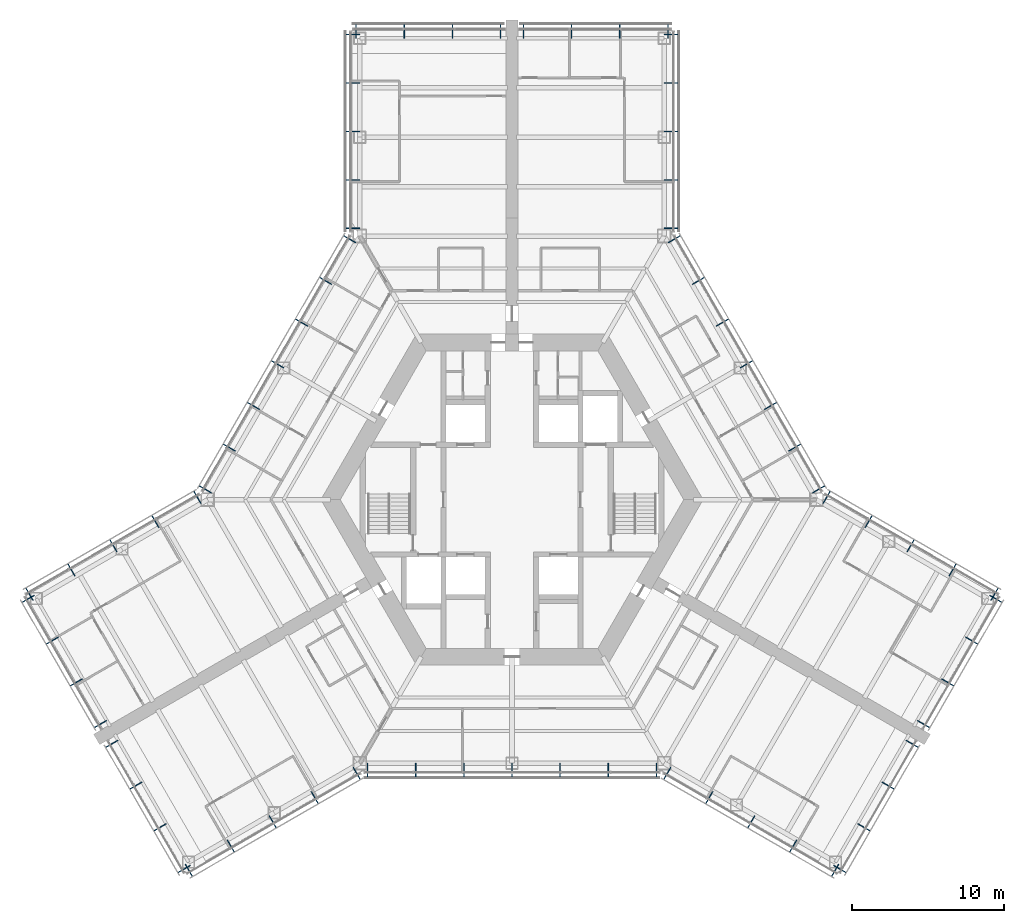
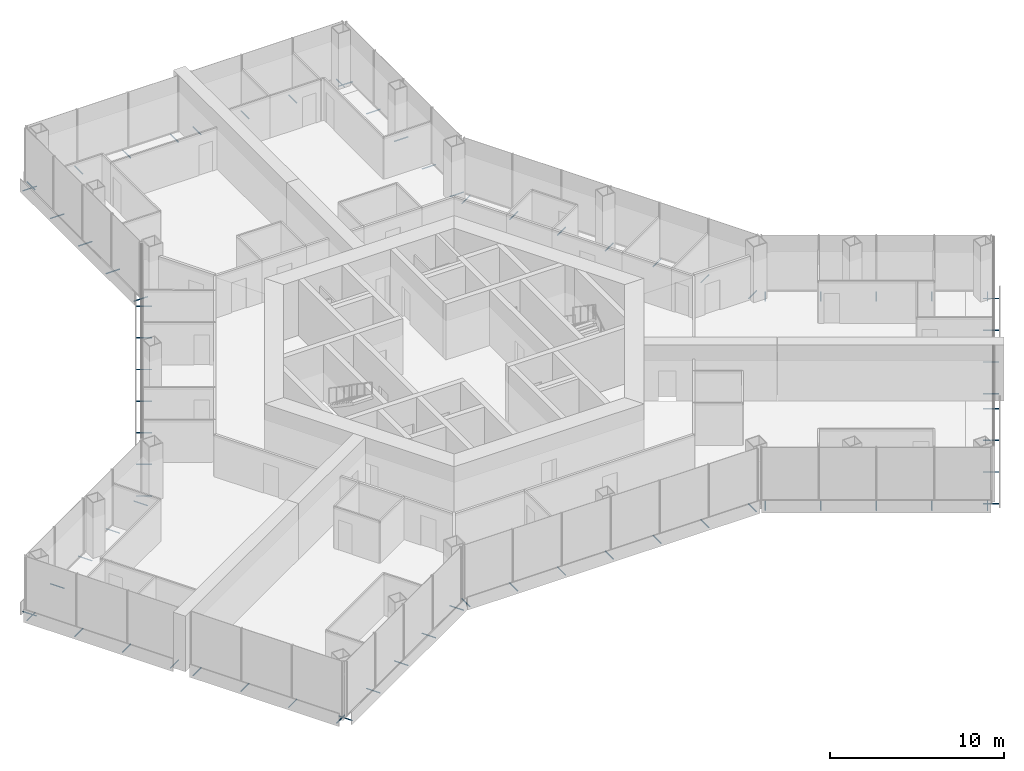
# One storey, part 17 of 19: 75 discrete accessories.
"""IFC4 building model written with IfcOpenShell, lengths in metres."""

from ifc_helpers import new_model, si_unit, direction, frame, origin, origin_2d, place, context, subcontext, project, spatial, hollow_circle, extrude, material, material_profile, profile_set, type_object, element, save


model = new_model("IFC4")

# Units and contexts
model_context = context("Model", 3, precision=1e-05, world=origin(), true_north=direction((0.0, 1.0)))
body_context = subcontext(model_context, "Body", "Model", "MODEL_VIEW")
ifc_project = project(units=[si_unit("LENGTHUNIT", "METRE"), si_unit("AREAUNIT", "SQUARE_METRE"), si_unit("VOLUMEUNIT", "CUBIC_METRE"), si_unit("PLANEANGLEUNIT", "RADIAN"), si_unit("MASSUNIT", "GRAM", prefix="KILO")], contexts=[model_context])

# Site, building, storey
site_placement = place(None, origin())
site = spatial("IfcSite", under=ifc_project, at=site_placement, CompositionType="ELEMENT")
building_placement = place(site_placement, origin())
building = spatial("IfcBuilding", under=site, at=building_placement, Name="Kasaneha Research Tower", CompositionType="ELEMENT")
storey_placement = place(building_placement, frame((0.0, 0.0, 104.10009765625)))
storey = spatial("IfcBuildingStorey", under=building, at=storey_placement, Name="L26", CompositionType="ELEMENT", Elevation=104.10009765625)

# Discrete accessories
ifc_material = material(Name="Steel STK400", Category="steel")
ifc_material_profile = material_profile(ifc_material, hollow_circle(Radius=0.0380859375, WallThickness=0.00390625, at=origin_2d()), Name="CHS-76.3x4.0")
ifc_profile_set = profile_set([ifc_material_profile], Name="Steel STK400")
discrete_accessory_type = type_object("IfcDiscreteAccessoryType", Name="Screen bracket CHS-76.3x4.0", PredefinedType="BRACKET", material=ifc_profile_set)
discrete_accessory_1_placement = place(storey_placement, frame((-21.474853515625, -23.945556640625, -0.300048828125), z_axis=(0.500021113727, -0.866013213425, 0.0), x_axis=(0.866013213425, 0.500021113727, 0.0)))
element("IfcDiscreteAccessory", 1, at=discrete_accessory_1_placement, inside=storey, type_object=discrete_accessory_type, Name="Screen bracket 1", PredefinedType="BRACKET", context=body_context, shape_type="SweptSolid", body=[
    extrude(hollow_circle(Radius=0.0380859375, WallThickness=0.00390625, at=origin_2d()), origin(), (0.0, 0.0, 1.0), 0.919921875),
])
discrete_accessory_2_placement = place(storey_placement, frame((-18.716796875, -22.35302734375, -0.300048828125), z_axis=(0.500105201737, -0.865964657013, 0.0), x_axis=(0.865964657013, 0.500105201737, 0.0)))
element("IfcDiscreteAccessory", 2, at=discrete_accessory_2_placement, inside=storey, type_object=discrete_accessory_type, Name="Screen bracket 2", PredefinedType="BRACKET", context=body_context, shape_type="SweptSolid", body=[
    extrude(hollow_circle(Radius=0.0380859375, WallThickness=0.00390625, at=origin_2d()), origin(), (0.0, 0.0, 1.0), 0.920166015625),
])
discrete_accessory_3_placement = place(storey_placement, frame((-15.95849609375, -20.7607421875, -0.300048828125), z_axis=(0.500021113727, -0.866013213425, 0.0), x_axis=(0.866013213425, 0.500021113727, 0.0)))
element("IfcDiscreteAccessory", 3, at=discrete_accessory_3_placement, inside=storey, type_object=discrete_accessory_type, Name="Screen bracket 3", PredefinedType="BRACKET", context=body_context, shape_type="SweptSolid", body=[
    extrude(hollow_circle(Radius=0.0380859375, WallThickness=0.00390625, at=origin_2d()), origin(), (0.0, 0.0, 1.0), 0.919921875),
])
discrete_accessory_4_placement = place(storey_placement, frame((-13.200439453125, -19.168212890625, -0.300048828125), z_axis=(0.499906209203, -0.866079547155, 0.0), x_axis=(0.866079547155, 0.499906209203, 0.0)))
element("IfcDiscreteAccessory", 4, at=discrete_accessory_4_placement, inside=storey, type_object=discrete_accessory_type, Name="Screen bracket 4", PredefinedType="BRACKET", context=body_context, shape_type="SweptSolid", body=[
    extrude(hollow_circle(Radius=0.0380859375, WallThickness=0.00390625, at=origin_2d()), origin(), (0.0, 0.0, 1.0), 0.920166015625),
])
for number, where, z_axis, x_axis, name in (
    (5, (-10.4423828125, -17.575927734375, -0.300048828125), (0.500021113727, -0.866013213425, 0.0), (0.866013213425, 0.500021113727, 0.0), "Screen bracket 5"),
    (6, (-9.4892578125, -17.320556640625, -0.300048828125), (0.0, -1.0, 0.0), (1.0, 0.0, 0.0), "Screen bracket 1"),
    (7, (-6.326171875, -17.320556640625, -0.300048828125), (0.0, -1.0, 0.0), (1.0, 0.0, 0.0), "Screen bracket 2"),
    (8, (-3.1630859375, -17.320556640625, -0.300048828125), (0.0, -1.0, 0.0), (1.0, 0.0, 0.0), "Screen bracket 3"),
    (9, (0.0, -17.320556640625, -0.300048828125), (0.0, -1.0, 0.0), (1.0, 0.0, 0.0), "Screen bracket 4"),
    (10, (3.1630859375, -17.320556640625, -0.300048828125), (0.0, -1.0, 0.0), (1.0, 0.0, 0.0), "Screen bracket 5"),
    (11, (6.326171875, -17.320556640625, -0.300048828125), (0.0, -1.0, 0.0), (1.0, 0.0, 0.0), "Screen bracket 6"),
    (12, (9.4892578125, -17.320556640625, -0.300048828125), (0.0, -1.0, 0.0), (1.0, 0.0, 0.0), "Screen bracket 7"),
    (13, (10.4423828125, -17.575927734375, -0.300048828125), (-0.500021113727, -0.866013213425, 0.0), (0.866013213425, -0.500021113727, 0.0), "Screen bracket 1"),
):
    element("IfcDiscreteAccessory", number, at=place(storey_placement, frame(where, z_axis=z_axis, x_axis=x_axis)), inside=storey, type_object=discrete_accessory_type, Name=name, PredefinedType="BRACKET", context=body_context, shape_type="SweptSolid", body=[
        extrude(hollow_circle(Radius=0.0380859375, WallThickness=0.00390625, at=origin_2d()), origin(), (0.0, 0.0, 1.0), 0.919921875),
    ])
discrete_accessory_5_placement = place(storey_placement, frame((13.200439453125, -19.168212890625, -0.300048828125), z_axis=(-0.499906209203, -0.866079547155, 0.0), x_axis=(0.866079547155, -0.499906209203, 0.0)))
element("IfcDiscreteAccessory", 14, at=discrete_accessory_5_placement, inside=storey, type_object=discrete_accessory_type, Name="Screen bracket 2", PredefinedType="BRACKET", context=body_context, shape_type="SweptSolid", body=[
    extrude(hollow_circle(Radius=0.0380859375, WallThickness=0.00390625, at=origin_2d()), origin(), (0.0, 0.0, 1.0), 0.920166015625),
])
discrete_accessory_6_placement = place(storey_placement, frame((15.95849609375, -20.7607421875, -0.300048828125), z_axis=(-0.500021113727, -0.866013213425, 0.0), x_axis=(0.866013213425, -0.500021113727, 0.0)))
element("IfcDiscreteAccessory", 15, at=discrete_accessory_6_placement, inside=storey, type_object=discrete_accessory_type, Name="Screen bracket 3", PredefinedType="BRACKET", context=body_context, shape_type="SweptSolid", body=[
    extrude(hollow_circle(Radius=0.0380859375, WallThickness=0.00390625, at=origin_2d()), origin(), (0.0, 0.0, 1.0), 0.919921875),
])
discrete_accessory_7_placement = place(storey_placement, frame((18.716796875, -22.35302734375, -0.300048828125), z_axis=(-0.500105201737, -0.865964657013, 0.0), x_axis=(0.865964657013, -0.500105201737, 0.0)))
element("IfcDiscreteAccessory", 16, at=discrete_accessory_7_placement, inside=storey, type_object=discrete_accessory_type, Name="Screen bracket 4", PredefinedType="BRACKET", context=body_context, shape_type="SweptSolid", body=[
    extrude(hollow_circle(Radius=0.0380859375, WallThickness=0.00390625, at=origin_2d()), origin(), (0.0, 0.0, 1.0), 0.920166015625),
])
discrete_accessory_8_placement = place(storey_placement, frame((21.474853515625, -23.945556640625, -0.300048828125), z_axis=(-0.500021113727, -0.866013213425, 0.0), x_axis=(0.866013213425, -0.500021113727, 0.0)))
element("IfcDiscreteAccessory", 17, at=discrete_accessory_8_placement, inside=storey, type_object=discrete_accessory_type, Name="Screen bracket 5", PredefinedType="BRACKET", context=body_context, shape_type="SweptSolid", body=[
    extrude(hollow_circle(Radius=0.0380859375, WallThickness=0.00390625, at=origin_2d()), origin(), (0.0, 0.0, 1.0), 0.919921875),
])
for number, where, z_axis, x_axis, name in (
    (18, (21.13330078125, -24.037109375, -0.300048828125), (0.866079547155, -0.499906209203, 0.0), (0.499906209203, 0.866079547155, 0.0), "Screen bracket 1"),
    (19, (22.716552734375, -21.294677734375, -0.300048828125), (0.866079547155, -0.499906209203, 0.0), (0.499906209203, 0.866079547155, 0.0), "Screen bracket 2"),
):
    element("IfcDiscreteAccessory", number, at=place(storey_placement, frame(where, z_axis=z_axis, x_axis=x_axis)), inside=storey, type_object=discrete_accessory_type, Name=name, PredefinedType="BRACKET", context=body_context, shape_type="SweptSolid", body=[
        extrude(hollow_circle(Radius=0.0380859375, WallThickness=0.00390625, at=origin_2d()), origin(), (0.0, 0.0, 1.0), 0.920166015625),
    ])
discrete_accessory_9_placement = place(storey_placement, frame((24.300048828125, -18.55224609375, -0.300048828125), z_axis=(0.866013213425, -0.500021113727, 0.0), x_axis=(0.500021113727, 0.866013213425, 0.0)))
element("IfcDiscreteAccessory", 20, at=discrete_accessory_9_placement, inside=storey, type_object=discrete_accessory_type, Name="Screen bracket 3", PredefinedType="BRACKET", context=body_context, shape_type="SweptSolid", body=[
    extrude(hollow_circle(Radius=0.0380859375, WallThickness=0.00390625, at=origin_2d()), origin(), (0.0, 0.0, 1.0), 0.919921875),
])
for number, where, z_axis, x_axis, name in (
    (21, (25.88330078125, -15.809814453125, -0.300048828125), (0.866079547155, -0.499906209203, 0.0), (0.499906209203, 0.866079547155, 0.0), "Screen bracket 4"),
    (22, (26.63330078125, -14.5107421875, -0.300048828125), (0.866079547155, -0.499906209203, 0.0), (0.499906209203, 0.866079547155, 0.0), "Screen bracket 1"),
    (23, (28.216552734375, -11.768310546875, -0.300048828125), (0.866079547155, -0.499906209203, 0.0), (0.499906209203, 0.866079547155, 0.0), "Screen bracket 2"),
):
    element("IfcDiscreteAccessory", number, at=place(storey_placement, frame(where, z_axis=z_axis, x_axis=x_axis)), inside=storey, type_object=discrete_accessory_type, Name=name, PredefinedType="BRACKET", context=body_context, shape_type="SweptSolid", body=[
        extrude(hollow_circle(Radius=0.0380859375, WallThickness=0.00390625, at=origin_2d()), origin(), (0.0, 0.0, 1.0), 0.920166015625),
    ])
discrete_accessory_10_placement = place(storey_placement, frame((29.800048828125, -9.02587890625, -0.300048828125), z_axis=(0.866013213425, -0.500021113727, 0.0), x_axis=(0.500021113727, 0.866013213425, 0.0)))
element("IfcDiscreteAccessory", 24, at=discrete_accessory_10_placement, inside=storey, type_object=discrete_accessory_type, Name="Screen bracket 3", PredefinedType="BRACKET", context=body_context, shape_type="SweptSolid", body=[
    extrude(hollow_circle(Radius=0.0380859375, WallThickness=0.00390625, at=origin_2d()), origin(), (0.0, 0.0, 1.0), 0.919921875),
])
discrete_accessory_11_placement = place(storey_placement, frame((31.38330078125, -6.283447265625, -0.300048828125), z_axis=(0.866079547155, -0.499906209203, 0.0), x_axis=(0.499906209203, 0.866079547155, 0.0)))
element("IfcDiscreteAccessory", 25, at=discrete_accessory_11_placement, inside=storey, type_object=discrete_accessory_type, Name="Screen bracket 4", PredefinedType="BRACKET", context=body_context, shape_type="SweptSolid", body=[
    extrude(hollow_circle(Radius=0.0380859375, WallThickness=0.00390625, at=origin_2d()), origin(), (0.0, 0.0, 1.0), 0.920166015625),
])
discrete_accessory_12_placement = place(storey_placement, frame((31.474853515625, -6.625, -0.300048828125), z_axis=(0.500021113727, 0.866013213425, 0.0), x_axis=(-0.866013213425, 0.500021113727, 0.0)))
element("IfcDiscreteAccessory", 26, at=discrete_accessory_12_placement, inside=storey, type_object=discrete_accessory_type, Name="Screen bracket 1", PredefinedType="BRACKET", context=body_context, shape_type="SweptSolid", body=[
    extrude(hollow_circle(Radius=0.0380859375, WallThickness=0.00390625, at=origin_2d()), origin(), (0.0, 0.0, 1.0), 0.919921875),
])
discrete_accessory_13_placement = place(storey_placement, frame((28.716796875, -5.03271484375, -0.300048828125), z_axis=(0.499906209203, 0.866079547155, 0.0), x_axis=(-0.866079547155, 0.499906209203, 0.0)))
element("IfcDiscreteAccessory", 27, at=discrete_accessory_13_placement, inside=storey, type_object=discrete_accessory_type, Name="Screen bracket 2", PredefinedType="BRACKET", context=body_context, shape_type="SweptSolid", body=[
    extrude(hollow_circle(Radius=0.0380859375, WallThickness=0.00390625, at=origin_2d()), origin(), (0.0, 0.0, 1.0), 0.920166015625),
])
discrete_accessory_14_placement = place(storey_placement, frame((25.95849609375, -3.440185546875, -0.300048828125), z_axis=(0.500220121494, 0.865898279276, 0.0), x_axis=(-0.865898279276, 0.500220121494, 0.0)))
element("IfcDiscreteAccessory", 28, at=discrete_accessory_14_placement, inside=storey, type_object=discrete_accessory_type, Name="Screen bracket 3", PredefinedType="BRACKET", context=body_context, shape_type="SweptSolid", body=[
    extrude(hollow_circle(Radius=0.0380859375, WallThickness=0.00390625, at=origin_2d()), origin(), (0.0, 0.0, 1.0), 0.919921875),
])
discrete_accessory_15_placement = place(storey_placement, frame((23.200439453125, -1.847900390625, -0.300048828125), z_axis=(0.499906209203, 0.866079547155, 0.0), x_axis=(-0.866079547155, 0.499906209203, 0.0)))
element("IfcDiscreteAccessory", 29, at=discrete_accessory_15_placement, inside=storey, type_object=discrete_accessory_type, Name="Screen bracket 4", PredefinedType="BRACKET", context=body_context, shape_type="SweptSolid", body=[
    extrude(hollow_circle(Radius=0.0380859375, WallThickness=0.00390625, at=origin_2d()), origin(), (0.0, 0.0, 1.0), 0.920166015625),
])
for number, where, z_axis, x_axis, name in (
    (30, (20.4423828125, -0.25537109375, -0.300048828125), (0.500021113727, 0.866013213425, 0.0), (-0.866013213425, 0.500021113727, 0.0), "Screen bracket 5"),
    (31, (19.74462890625, 0.4423828125, -0.300048828125), (0.866013213425, 0.500021113727, 0.0), (-0.500021113727, 0.866013213425, 0.0), "Screen bracket 1"),
    (32, (18.1630859375, 3.181640625, -0.300048828125), (0.866013213425, 0.500021113727, 0.0), (-0.500021113727, 0.866013213425, 0.0), "Screen bracket 2"),
    (33, (16.58154296875, 5.9208984375, -0.300048828125), (0.866013213425, 0.500021113727, 0.0), (-0.500021113727, 0.866013213425, 0.0), "Screen bracket 3"),
    (34, (15.0, 8.66015625, -0.300048828125), (0.865898279276, 0.500220121494, 0.0), (-0.500220121494, 0.865898279276, 0.0), "Screen bracket 4"),
    (35, (13.41845703125, 11.399658203125, -0.300048828125), (0.866013213425, 0.500021113727, 0.0), (-0.500021113727, 0.866013213425, 0.0), "Screen bracket 5"),
    (36, (11.8369140625, 14.138916015625, -0.300048828125), (0.866013213425, 0.500021113727, 0.0), (-0.500021113727, 0.866013213425, 0.0), "Screen bracket 6"),
):
    element("IfcDiscreteAccessory", number, at=place(storey_placement, frame(where, z_axis=z_axis, x_axis=x_axis)), inside=storey, type_object=discrete_accessory_type, Name=name, PredefinedType="BRACKET", context=body_context, shape_type="SweptSolid", body=[
        extrude(hollow_circle(Radius=0.0380859375, WallThickness=0.00390625, at=origin_2d()), origin(), (0.0, 0.0, 1.0), 0.919921875),
    ])
discrete_accessory_16_placement = place(storey_placement, frame((10.25537109375, 16.878173828125, -0.300048828125), z_axis=(0.866079547155, 0.499906209203, 0.0), x_axis=(-0.499906209203, 0.866079547155, 0.0)))
element("IfcDiscreteAccessory", 37, at=discrete_accessory_16_placement, inside=storey, type_object=discrete_accessory_type, Name="Screen bracket 7", PredefinedType="BRACKET", context=body_context, shape_type="SweptSolid", body=[
    extrude(hollow_circle(Radius=0.0380859375, WallThickness=0.00390625, at=origin_2d()), origin(), (0.0, 0.0, 1.0), 0.920166015625),
])
for number, where, z_axis, x_axis, name in (
    (38, (10.0, 17.831298828125, -0.300048828125), (1.0, 0.0, 0.0), (0.0, 1.0, 0.0), "Screen bracket 1"),
    (39, (10.0, 21.01611328125, -0.300048828125), (1.0, 0.0, 0.0), (0.0, 1.0, 0.0), "Screen bracket 2"),
    (40, (10.0, 24.200927734375, -0.300048828125), (1.0, 0.0, 0.0), (0.0, 1.0, 0.0), "Screen bracket 3"),
    (41, (10.0, 27.3857421875, -0.300048828125), (1.0, 0.0, 0.0), (0.0, 1.0, 0.0), "Screen bracket 4"),
    (42, (10.0, 30.570556640625, -0.300048828125), (1.0, 0.0, 0.0), (0.0, 1.0, 0.0), "Screen bracket 5"),
    (43, (10.25, 30.320556640625, -0.300048828125), (0.0, 1.0, 0.0), (-1.0, 0.0, 0.0), "Screen bracket 1"),
    (44, (7.083251953125, 30.320556640625, -0.300048828125), (0.0, 1.0, 0.0), (-1.0, 0.0, 0.0), "Screen bracket 2"),
    (45, (3.916748046875, 30.320556640625, -0.300048828125), (0.0, 1.0, 0.0), (-1.0, 0.0, 0.0), "Screen bracket 3"),
    (46, (0.75, 30.320556640625, -0.300048828125), (0.0, 1.0, 0.0), (-1.0, 0.0, 0.0), "Screen bracket 4"),
    (47, (-0.75, 30.320556640625, -0.300048828125), (0.0, 1.0, 0.0), (-1.0, 0.0, 0.0), "Screen bracket 1"),
    (48, (-3.916748046875, 30.320556640625, -0.300048828125), (0.0, 1.0, 0.0), (-1.0, 0.0, 0.0), "Screen bracket 2"),
    (49, (-7.083251953125, 30.320556640625, -0.300048828125), (0.0, 1.0, 0.0), (-1.0, 0.0, 0.0), "Screen bracket 3"),
    (50, (-10.25, 30.320556640625, -0.300048828125), (0.0, 1.0, 0.0), (-1.0, 0.0, 0.0), "Screen bracket 4"),
    (51, (-10.0, 30.570556640625, -0.300048828125), (-1.0, 0.0, 0.0), (0.0, -1.0, 0.0), "Screen bracket 1"),
    (52, (-10.0, 27.3857421875, -0.300048828125), (-1.0, 0.0, 0.0), (0.0, -1.0, 0.0), "Screen bracket 2"),
    (53, (-10.0, 24.200927734375, -0.300048828125), (-1.0, 0.0, 0.0), (0.0, -1.0, 0.0), "Screen bracket 3"),
    (54, (-10.0, 21.01611328125, -0.300048828125), (-1.0, 0.0, 0.0), (0.0, -1.0, 0.0), "Screen bracket 4"),
    (55, (-10.0, 17.831298828125, -0.300048828125), (-1.0, 0.0, 0.0), (0.0, -1.0, 0.0), "Screen bracket 5"),
):
    element("IfcDiscreteAccessory", number, at=place(storey_placement, frame(where, z_axis=z_axis, x_axis=x_axis)), inside=storey, type_object=discrete_accessory_type, Name=name, PredefinedType="BRACKET", context=body_context, shape_type="SweptSolid", body=[
        extrude(hollow_circle(Radius=0.0380859375, WallThickness=0.00390625, at=origin_2d()), origin(), (0.0, 0.0, 1.0), 0.919921875),
    ])
discrete_accessory_17_placement = place(storey_placement, frame((-10.25537109375, 16.878173828125, -0.300048828125), z_axis=(-0.866079547155, 0.499906209203, 0.0), x_axis=(-0.499906209203, -0.866079547155, 0.0)))
element("IfcDiscreteAccessory", 56, at=discrete_accessory_17_placement, inside=storey, type_object=discrete_accessory_type, Name="Screen bracket 1", PredefinedType="BRACKET", context=body_context, shape_type="SweptSolid", body=[
    extrude(hollow_circle(Radius=0.0380859375, WallThickness=0.00390625, at=origin_2d()), origin(), (0.0, 0.0, 1.0), 0.920166015625),
])
for number, where, z_axis, x_axis, name in (
    (57, (-11.8369140625, 14.138916015625, -0.300048828125), (-0.866013213425, 0.500021113727, 0.0), (-0.500021113727, -0.866013213425, 0.0), "Screen bracket 2"),
    (58, (-13.41845703125, 11.399658203125, -0.300048828125), (-0.866013213425, 0.500021113727, 0.0), (-0.500021113727, -0.866013213425, 0.0), "Screen bracket 3"),
    (59, (-15.0, 8.66015625, -0.300048828125), (-0.865898279276, 0.500220121494, 0.0), (-0.500220121494, -0.865898279276, 0.0), "Screen bracket 4"),
    (60, (-16.58154296875, 5.9208984375, -0.300048828125), (-0.866013213425, 0.500021113727, 0.0), (-0.500021113727, -0.866013213425, 0.0), "Screen bracket 5"),
    (61, (-18.1630859375, 3.181640625, -0.300048828125), (-0.866013213425, 0.500021113727, 0.0), (-0.500021113727, -0.866013213425, 0.0), "Screen bracket 6"),
    (62, (-19.74462890625, 0.4423828125, -0.300048828125), (-0.866013213425, 0.500021113727, 0.0), (-0.500021113727, -0.866013213425, 0.0), "Screen bracket 7"),
    (63, (-20.4423828125, -0.25537109375, -0.300048828125), (-0.500021113727, 0.866013213425, 0.0), (-0.866013213425, -0.500021113727, 0.0), "Screen bracket 1"),
):
    element("IfcDiscreteAccessory", number, at=place(storey_placement, frame(where, z_axis=z_axis, x_axis=x_axis)), inside=storey, type_object=discrete_accessory_type, Name=name, PredefinedType="BRACKET", context=body_context, shape_type="SweptSolid", body=[
        extrude(hollow_circle(Radius=0.0380859375, WallThickness=0.00390625, at=origin_2d()), origin(), (0.0, 0.0, 1.0), 0.919921875),
    ])
discrete_accessory_18_placement = place(storey_placement, frame((-23.200439453125, -1.847900390625, -0.300048828125), z_axis=(-0.499906209203, 0.866079547155, 0.0), x_axis=(-0.866079547155, -0.499906209203, 0.0)))
element("IfcDiscreteAccessory", 64, at=discrete_accessory_18_placement, inside=storey, type_object=discrete_accessory_type, Name="Screen bracket 2", PredefinedType="BRACKET", context=body_context, shape_type="SweptSolid", body=[
    extrude(hollow_circle(Radius=0.0380859375, WallThickness=0.00390625, at=origin_2d()), origin(), (0.0, 0.0, 1.0), 0.920166015625),
])
discrete_accessory_19_placement = place(storey_placement, frame((-25.95849609375, -3.440185546875, -0.300048828125), z_axis=(-0.500220121494, 0.865898279276, 0.0), x_axis=(-0.865898279276, -0.500220121494, 0.0)))
element("IfcDiscreteAccessory", 65, at=discrete_accessory_19_placement, inside=storey, type_object=discrete_accessory_type, Name="Screen bracket 3", PredefinedType="BRACKET", context=body_context, shape_type="SweptSolid", body=[
    extrude(hollow_circle(Radius=0.0380859375, WallThickness=0.00390625, at=origin_2d()), origin(), (0.0, 0.0, 1.0), 0.919921875),
])
discrete_accessory_20_placement = place(storey_placement, frame((-28.716796875, -5.03271484375, -0.300048828125), z_axis=(-0.499906209203, 0.866079547155, 0.0), x_axis=(-0.866079547155, -0.499906209203, 0.0)))
element("IfcDiscreteAccessory", 66, at=discrete_accessory_20_placement, inside=storey, type_object=discrete_accessory_type, Name="Screen bracket 4", PredefinedType="BRACKET", context=body_context, shape_type="SweptSolid", body=[
    extrude(hollow_circle(Radius=0.0380859375, WallThickness=0.00390625, at=origin_2d()), origin(), (0.0, 0.0, 1.0), 0.920166015625),
])
discrete_accessory_21_placement = place(storey_placement, frame((-31.474853515625, -6.625, -0.300048828125), z_axis=(-0.500021113727, 0.866013213425, 0.0), x_axis=(-0.866013213425, -0.500021113727, 0.0)))
element("IfcDiscreteAccessory", 67, at=discrete_accessory_21_placement, inside=storey, type_object=discrete_accessory_type, Name="Screen bracket 5", PredefinedType="BRACKET", context=body_context, shape_type="SweptSolid", body=[
    extrude(hollow_circle(Radius=0.0380859375, WallThickness=0.00390625, at=origin_2d()), origin(), (0.0, 0.0, 1.0), 0.919921875),
])
discrete_accessory_22_placement = place(storey_placement, frame((-31.38330078125, -6.283447265625, -0.300048828125), z_axis=(-0.866079547155, -0.499906209203, 0.0), x_axis=(0.499906209203, -0.866079547155, 0.0)))
element("IfcDiscreteAccessory", 68, at=discrete_accessory_22_placement, inside=storey, type_object=discrete_accessory_type, Name="Screen bracket 1", PredefinedType="BRACKET", context=body_context, shape_type="SweptSolid", body=[
    extrude(hollow_circle(Radius=0.0380859375, WallThickness=0.00390625, at=origin_2d()), origin(), (0.0, 0.0, 1.0), 0.920166015625),
])
discrete_accessory_23_placement = place(storey_placement, frame((-29.800048828125, -9.02587890625, -0.300048828125), z_axis=(-0.866013213425, -0.500021113727, 0.0), x_axis=(0.500021113727, -0.866013213425, 0.0)))
element("IfcDiscreteAccessory", 69, at=discrete_accessory_23_placement, inside=storey, type_object=discrete_accessory_type, Name="Screen bracket 2", PredefinedType="BRACKET", context=body_context, shape_type="SweptSolid", body=[
    extrude(hollow_circle(Radius=0.0380859375, WallThickness=0.00390625, at=origin_2d()), origin(), (0.0, 0.0, 1.0), 0.919921875),
])
for number, where, z_axis, x_axis, name in (
    (70, (-28.216552734375, -11.768310546875, -0.300048828125), (-0.866079547155, -0.499906209203, 0.0), (0.499906209203, -0.866079547155, 0.0), "Screen bracket 3"),
    (71, (-26.63330078125, -14.5107421875, -0.300048828125), (-0.866079547155, -0.499906209203, 0.0), (0.499906209203, -0.866079547155, 0.0), "Screen bracket 4"),
    (72, (-25.88330078125, -15.809814453125, -0.300048828125), (-0.866079547155, -0.499906209203, 0.0), (0.499906209203, -0.866079547155, 0.0), "Screen bracket 1"),
):
    element("IfcDiscreteAccessory", number, at=place(storey_placement, frame(where, z_axis=z_axis, x_axis=x_axis)), inside=storey, type_object=discrete_accessory_type, Name=name, PredefinedType="BRACKET", context=body_context, shape_type="SweptSolid", body=[
        extrude(hollow_circle(Radius=0.0380859375, WallThickness=0.00390625, at=origin_2d()), origin(), (0.0, 0.0, 1.0), 0.920166015625),
    ])
discrete_accessory_24_placement = place(storey_placement, frame((-24.300048828125, -18.55224609375, -0.300048828125), z_axis=(-0.866013213425, -0.500021113727, 0.0), x_axis=(0.500021113727, -0.866013213425, 0.0)))
element("IfcDiscreteAccessory", 73, at=discrete_accessory_24_placement, inside=storey, type_object=discrete_accessory_type, Name="Screen bracket 2", PredefinedType="BRACKET", context=body_context, shape_type="SweptSolid", body=[
    extrude(hollow_circle(Radius=0.0380859375, WallThickness=0.00390625, at=origin_2d()), origin(), (0.0, 0.0, 1.0), 0.919921875),
])
for number, where, z_axis, x_axis, name in (
    (74, (-22.716552734375, -21.294677734375, -0.300048828125), (-0.866079547155, -0.499906209203, 0.0), (0.499906209203, -0.866079547155, 0.0), "Screen bracket 3"),
    (75, (-21.13330078125, -24.037109375, -0.300048828125), (-0.866079547155, -0.499906209203, 0.0), (0.499906209203, -0.866079547155, 0.0), "Screen bracket 4"),
):
    element("IfcDiscreteAccessory", number, at=place(storey_placement, frame(where, z_axis=z_axis, x_axis=x_axis)), inside=storey, type_object=discrete_accessory_type, Name=name, PredefinedType="BRACKET", context=body_context, shape_type="SweptSolid", body=[
        extrude(hollow_circle(Radius=0.0380859375, WallThickness=0.00390625, at=origin_2d()), origin(), (0.0, 0.0, 1.0), 0.920166015625),
    ])

save(model, "model.ifc")
